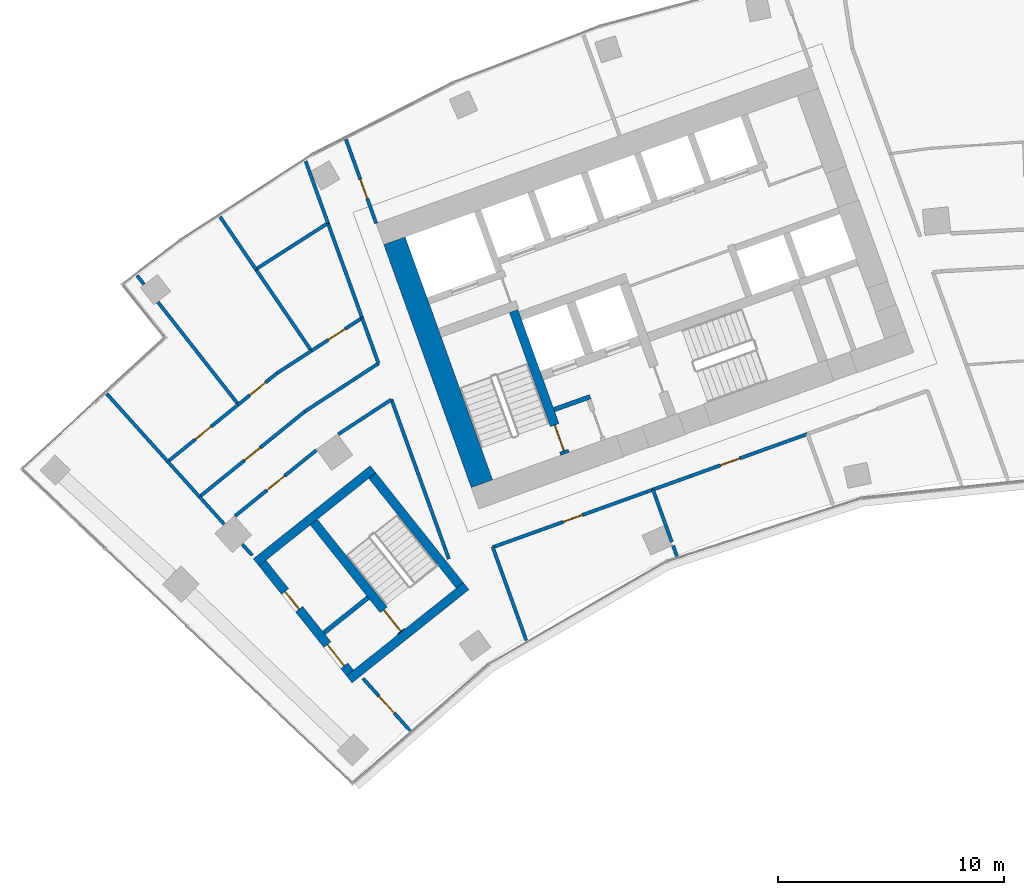
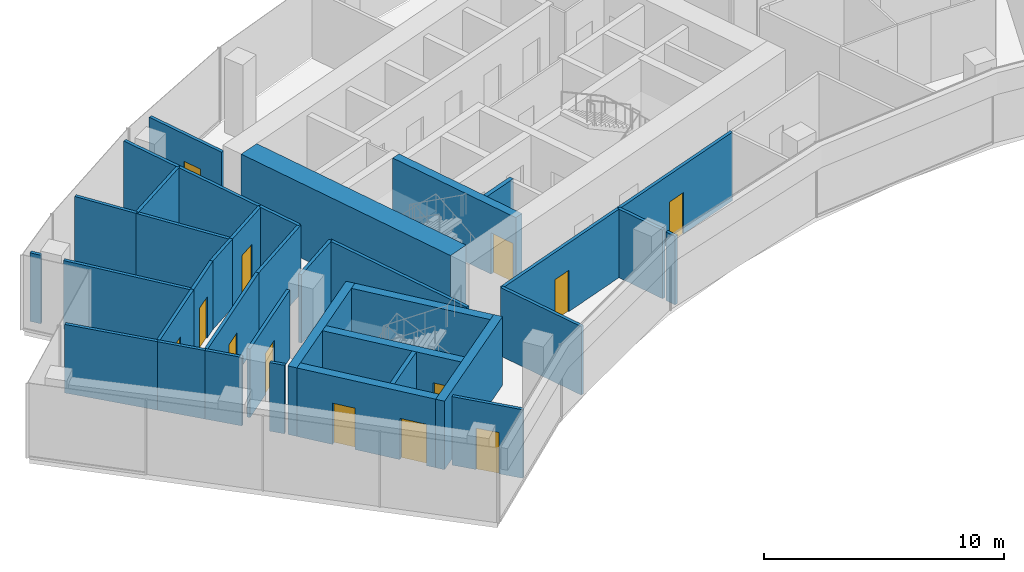
# One storey, part 12 of 19: 37 walls, 13 doors, 13 openings.
"""IFC4 building model written with IfcOpenShell, lengths in metres."""

from ifc_helpers import new_model, si_unit, direction, frame, frame_2d, origin, place, context, subcontext, project, spatial, rectangle, extrude, material, layer, layer_set, type_object, element, fill, save


model = new_model("IFC4")

# Units and contexts
model_context = context("Model", 3, precision=1e-05, world=origin(), true_north=direction((0.0, 1.0)))
body_context = subcontext(model_context, "Body", "Model", "MODEL_VIEW")
ifc_project = project(units=[si_unit("LENGTHUNIT", "METRE"), si_unit("AREAUNIT", "SQUARE_METRE"), si_unit("VOLUMEUNIT", "CUBIC_METRE"), si_unit("PLANEANGLEUNIT", "RADIAN"), si_unit("MASSUNIT", "GRAM", prefix="KILO")], contexts=[model_context])

# Site, building, storey
site_placement = place(None, origin())
site = spatial("IfcSite", under=ifc_project, at=site_placement, CompositionType="ELEMENT")
building_placement = place(site_placement, origin())
building = spatial("IfcBuilding", under=site, at=building_placement, Name="Stone Belt Terrace Tower", CompositionType="ELEMENT")
storey_placement = place(building_placement, frame((0.0, 0.0, 208.60009765625)))
storey = spatial("IfcBuildingStorey", under=building, at=storey_placement, Name="L50", CompositionType="ELEMENT", Elevation=208.60009765625)

# Walls
ifc_material_1 = material(Name="Concrete B60", Category="concrete")
ifc_layer_1 = layer(ifc_material_1, 1.0)
ifc_layer_set_1 = layer_set([ifc_layer_1], Name="Core wall 1000 B60")
wall_type_1 = type_object("IfcWallType", Name="Core wall 1000 B60", PredefinedType="SHEAR", material=ifc_layer_set_1)
wall_1_placement = place(storey_placement, frame((-25.821044921875, 43.102783203125, 0.0), z_axis=(0.0, 0.0, 1.0), x_axis=(-0.338625431531, 0.940921259788, 0.0)))
element("IfcWall", 1, at=wall_1_placement, inside=storey, type_object=wall_type_1, Name="Core A wall end_a L50", PredefinedType="SHEAR", context=body_context, shape_type="SweptSolid", body=[
    extrude(rectangle(XDim=11.400146484375, YDim=1.0, at=frame_2d((5.7001953125, 0.0))), origin(), (0.0, 0.0, 1.0), 3.7998046875),
])
ifc_material_2 = material(Name="Gypsum board partition")
ifc_layer_2 = layer(ifc_material_2, 0.14990234375)
ifc_layer_set_2 = layer_set([ifc_layer_2], Name="PARTITION 150 EI 60")
wall_type_2 = type_object("IfcWallType", Name="PARTITION 150 EI 60", PredefinedType="PARTITIONING", material=ifc_layer_set_2)
wall_2_placement = place(storey_placement, frame((-25.344970703125, 40.304931640625, 0.0), z_axis=(0.0, 0.0, 1.0), x_axis=(0.338603151709, -0.94092927771, 0.0)))
element("IfcWall", 2, at=wall_2_placement, inside=storey, type_object=wall_type_2, Name="L50/wall/i001", PredefinedType="PARTITIONING", context=body_context, shape_type="SweptSolid", body=[
    extrude(rectangle(XDim=4.38525390625, YDim=0.14990234375, at=frame_2d((2.192626953125, 0.0))), origin(), (0.0, 0.0, 1.0), 3.47998046875),
])

# Wall, opening, door
wall_3_placement = place(storey_placement, frame((-31.826904296875, 58.314208984375, 0.0), z_axis=(0.0, 0.0, 1.0), x_axis=(0.338542007836, -0.940951278723, 0.0)))
wall_3 = element("IfcWall", 3, at=wall_3_placement, inside=storey, type_object=wall_type_2, Name="L50/wall/i002", PredefinedType="PARTITIONING", context=body_context, shape_type="SweptSolid", body=[
    extrude(rectangle(XDim=3.946044921875, YDim=0.14990234375, at=frame_2d((1.97314453125, 0.0))), origin(), (0.0, 0.0, 1.0), 3.47998046875),
])
opening_1_placement = place(wall_3_placement, frame((1.889892578125, 0.0, 0.0)))
opening_1 = element("IfcOpeningElement", 4, at=opening_1_placement, cuts=wall_3, Name="Opening D-D2-04", PredefinedType="OPENING", context=body_context, shape_type="SweptSolid", body=[
    extrude(rectangle(XDim=0.89990234375, YDim=2.10009765625, at=frame_2d((0.449951171875, 1.050048828125))), frame((0.0, 0.0849609375, 0.0), z_axis=(0.0, -1.0, 0.0), x_axis=(1.0, 0.0, 0.0)), (0.0, 0.0, 1.0), 0.169921875),
])
ifc_material_3 = material(Name="Timber door leaf", Category="wood")
door_type_1 = type_object("IfcDoorType", Name="OFFICE DOOR 900 X 2100", OperationType="NOTDEFINED", PredefinedType="DOOR", material=ifc_material_3)
door_1_placement = place(opening_1_placement, origin())
door_1 = element("IfcDoor", 5, at=door_1_placement, inside=storey, type_object=door_type_1, Name="L50/door/i04", OperationType="SINGLE_SWING_RIGHT", OverallHeight=2.10009765625, OverallWidth=0.89990234375, PredefinedType="DOOR", context=body_context, shape_type="SweptSolid", body=[
    extrude(rectangle(XDim=0.89990234375, YDim=2.10009765625, at=frame_2d((0.449951171875, 1.050048828125))), frame((0.0, 0.02490234375, 0.0), z_axis=(0.0, -1.0, 0.0), x_axis=(1.0, 0.0, 0.0)), (0.0, 0.0, 1.0), 0.050048828125),
])
fill(opening_1, door_1)

wall_4_placement = place(storey_placement, frame((-28.9892578125, 32.194580078125, 0.0), z_axis=(0.0, 0.0, 1.0), x_axis=(-0.669060096377, 0.743208306894, 0.0)))
wall_4 = element("IfcWall", 6, at=wall_4_placement, inside=storey, type_object=wall_type_2, Name="L50/wall/i003", PredefinedType="PARTITIONING", context=body_context, shape_type="SweptSolid", body=[
    extrude(rectangle(XDim=3.111572265625, YDim=0.14990234375, at=frame_2d((1.5556640625, 0.0))), origin(), (0.0, 0.0, 1.0), 3.47998046875),
])
opening_2_placement = place(wall_4_placement, frame((1.0556640625, 0.0, 0.0)))
opening_2 = element("IfcOpeningElement", 7, at=opening_2_placement, cuts=wall_4, Name="Opening D-D2-11", PredefinedType="OPENING", context=body_context, shape_type="SweptSolid", body=[
    extrude(rectangle(XDim=1.0, YDim=2.10009765625, at=frame_2d((0.5, 1.050048828125))), frame((0.0, 0.0849609375, 0.0), z_axis=(0.0, -1.0, 0.0), x_axis=(1.0, 0.0, 0.0)), (0.0, 0.0, 1.0), 0.169921875),
])
ifc_material_4 = material(Name="Timber fire door leaf", Category="wood")
door_type_2 = type_object("IfcDoorType", Name="TENANCY ENTRANCE DOOR 1000 X 2100", OperationType="NOTDEFINED", PredefinedType="DOOR", material=ifc_material_4)
door_2_placement = place(opening_2_placement, origin())
door_2 = element("IfcDoor", 8, at=door_2_placement, inside=storey, type_object=door_type_2, Name="L50/door/i11", OperationType="SINGLE_SWING_RIGHT", OverallHeight=2.10009765625, OverallWidth=1.0, PredefinedType="DOOR", context=body_context, shape_type="SweptSolid", body=[
    extrude(rectangle(XDim=1.0, YDim=2.10009765625, at=frame_2d((0.5, 1.050048828125))), frame((0.0, 0.02490234375, 0.0), z_axis=(0.0, -1.0, 0.0), x_axis=(1.0, 0.0, 0.0)), (0.0, 0.0, 1.0), 0.050048828125),
])
fill(opening_2, door_2)

# Walls
wall_5_placement = place(storey_placement, frame((-27.282958984375, 39.781982421875, 0.0), z_axis=(0.0, 0.0, 1.0), x_axis=(-0.338714849804, 0.940889074505, 0.0)))
element("IfcWall", 9, at=wall_5_placement, inside=storey, type_object=wall_type_2, Name="L50/wall/i004", PredefinedType="PARTITIONING", context=body_context, shape_type="SweptSolid", body=[
    extrude(rectangle(XDim=7.487548828125, YDim=0.14990234375, at=frame_2d((3.74365234375, 0.0))), origin(), (0.0, 0.0, 1.0), 3.47998046875),
])
wall_6_placement = place(storey_placement, frame((-30.387939453125, 48.408935546875, 0.0), z_axis=(0.0, 0.0, 1.0), x_axis=(-0.338510151975, 0.940962739438, 0.0)))
element("IfcWall", 10, at=wall_6_placement, inside=storey, type_object=wall_type_2, Name="L50/wall/i005", PredefinedType="PARTITIONING", context=body_context, shape_type="SweptSolid", body=[
    extrude(rectangle(XDim=2.147705078125, YDim=0.14990234375, at=frame_2d((1.07373046875, 0.0))), origin(), (0.0, 0.0, 1.0), 3.47998046875),
])
wall_7_placement = place(storey_placement, frame((-31.111083984375, 50.41796875, 0.0), z_axis=(0.0, 0.0, 1.0), x_axis=(-0.338855091794, 0.940838576359, 0.0)))
element("IfcWall", 11, at=wall_7_placement, inside=storey, type_object=wall_type_2, Name="L50/wall/i006", PredefinedType="PARTITIONING", context=body_context, shape_type="SweptSolid", body=[
    extrude(rectangle(XDim=4.4619140625, YDim=0.14990234375, at=frame_2d((2.23095703125, 0.0))), origin(), (0.0, 0.0, 1.0), 3.47998046875),
])
wall_8_placement = place(storey_placement, frame((-32.617919921875, 54.60498046875, 0.0), z_axis=(0.0, 0.0, 1.0), x_axis=(-0.338823024639, 0.940850125139, 0.0)))
element("IfcWall", 12, at=wall_8_placement, inside=storey, type_object=wall_type_2, Name="L50/wall/i007", PredefinedType="PARTITIONING", context=body_context, shape_type="SweptSolid", body=[
    extrude(rectangle(XDim=2.921875, YDim=0.14990234375, at=frame_2d((1.4609375, 0.0))), origin(), (0.0, 0.0, 1.0), 3.47998046875),
])

# Wall, opening, door
wall_9_placement = place(storey_placement, frame((-18.264892578125, 42.845947265625, 0.0), z_axis=(0.0, 0.0, 1.0), x_axis=(-0.940940358384, -0.338572358536, 0.0)))
wall_9 = element("IfcWall", 13, at=wall_9_placement, inside=storey, type_object=wall_type_2, Name="L50/wall/i015", PredefinedType="PARTITIONING", context=body_context, shape_type="SweptSolid", body=[
    extrude(rectangle(XDim=7.5224609375, YDim=0.14990234375, at=frame_2d((3.76123046875, 0.0))), origin(), (0.0, 0.0, 1.0), 3.47998046875),
])
opening_3_placement = place(wall_9_placement, frame((3.311279296875, 0.0, 0.0)))
opening_3 = element("IfcOpeningElement", 14, at=opening_3_placement, cuts=wall_9, Name="Opening D-D2-01", PredefinedType="OPENING", context=body_context, shape_type="SweptSolid", body=[
    extrude(rectangle(XDim=0.89990234375, YDim=2.10009765625, at=frame_2d((0.449951171875, 1.050048828125))), frame((0.0, 0.0849609375, 0.0), z_axis=(0.0, -1.0, 0.0), x_axis=(1.0, 0.0, 0.0)), (0.0, 0.0, 1.0), 0.169921875),
])
door_3_placement = place(opening_3_placement, origin())
door_3 = element("IfcDoor", 15, at=door_3_placement, inside=storey, type_object=door_type_1, Name="L50/door/i01", OperationType="SINGLE_SWING_RIGHT", OverallHeight=2.10009765625, OverallWidth=0.89990234375, PredefinedType="DOOR", context=body_context, shape_type="SweptSolid", body=[
    extrude(rectangle(XDim=0.89990234375, YDim=2.10009765625, at=frame_2d((0.449951171875, 1.050048828125))), frame((0.0, 0.02490234375, 0.0), z_axis=(0.0, -1.0, 0.0), x_axis=(1.0, 0.0, 0.0)), (0.0, 0.0, 1.0), 0.050048828125),
])
fill(opening_3, door_3)

wall_10_placement = place(storey_placement, frame((-11.443115234375, 45.301025390625, 0.0), z_axis=(0.0, 0.0, 1.0), x_axis=(-0.940942249556, -0.338567102655, 0.0)))
wall_10 = element("IfcWall", 16, at=wall_10_placement, inside=storey, type_object=wall_type_2, Name="L50/wall/i016", PredefinedType="PARTITIONING", context=body_context, shape_type="SweptSolid", body=[
    extrude(rectangle(XDim=7.262939453125, YDim=0.14990234375, at=frame_2d((3.63134765625, 0.0))), origin(), (0.0, 0.0, 1.0), 3.47998046875),
])
opening_4_placement = place(wall_10_placement, frame((3.181396484375, 0.0, 0.0)))
opening_4 = element("IfcOpeningElement", 17, at=opening_4_placement, cuts=wall_10, Name="Opening D-D2-02", PredefinedType="OPENING", context=body_context, shape_type="SweptSolid", body=[
    extrude(rectangle(XDim=0.89990234375, YDim=2.10009765625, at=frame_2d((0.449951171875, 1.050048828125))), frame((0.0, 0.0849609375, 0.0), z_axis=(0.0, -1.0, 0.0), x_axis=(1.0, 0.0, 0.0)), (0.0, 0.0, 1.0), 0.169921875),
])
door_4_placement = place(opening_4_placement, origin())
door_4 = element("IfcDoor", 18, at=door_4_placement, inside=storey, type_object=door_type_1, Name="L50/door/i02", OperationType="SINGLE_SWING_RIGHT", OverallHeight=2.10009765625, OverallWidth=0.89990234375, PredefinedType="DOOR", context=body_context, shape_type="SweptSolid", body=[
    extrude(rectangle(XDim=0.89990234375, YDim=2.10009765625, at=frame_2d((0.449951171875, 1.050048828125))), frame((0.0, 0.02490234375, 0.0), z_axis=(0.0, -1.0, 0.0), x_axis=(1.0, 0.0, 0.0)), (0.0, 0.0, 1.0), 0.050048828125),
])
fill(opening_4, door_4)

# Walls
wall_11_placement = place(storey_placement, frame((-18.27099609375, 42.843994140625, 0.0), z_axis=(0.0, 0.0, 1.0), x_axis=(0.338641965783, -0.940915309159, 0.0)))
element("IfcWall", 19, at=wall_11_placement, inside=storey, type_object=wall_type_2, Name="L50/wall/i018", PredefinedType="PARTITIONING", context=body_context, shape_type="SweptSolid", body=[
    extrude(rectangle(XDim=2.4541015625, YDim=0.14990234375, at=frame_2d((1.22705078125, 0.0))), origin(), (0.0, 0.0, 1.0), 3.47998046875),
])
wall_12_placement = place(storey_placement, frame((-17.379150390625, 40.3662109375, 0.0), z_axis=(0.0, 0.0, 1.0), x_axis=(0.338719468273, -0.940887411869, 0.0)))
element("IfcWall", 20, at=wall_12_placement, inside=storey, type_object=wall_type_2, Name="L50/wall/i019", PredefinedType="PARTITIONING", context=body_context, shape_type="SweptSolid", body=[
    extrude(rectangle(XDim=0.49951171875, YDim=0.14990234375, at=frame_2d((0.249755859375, 0.0))), origin(), (0.0, 0.0, 1.0), 3.47998046875),
])
wall_13_placement = place(storey_placement, frame((-38.294921875, 42.530029296875, 0.0), z_axis=(0.0, 0.0, 1.0), x_axis=(0.669105815647, -0.743167146386, 0.0)))
element("IfcWall", 21, at=wall_13_placement, inside=storey, type_object=wall_type_2, Name="L50/wall/i039", PredefinedType="PARTITIONING", context=body_context, shape_type="SweptSolid", body=[
    extrude(rectangle(XDim=1.625244140625, YDim=0.14990234375, at=frame_2d((0.8125, 0.0))), origin(), (0.0, 0.0, 1.0), 3.47998046875),
])
wall_14_placement = place(storey_placement, frame((-36.3974609375, 40.42333984375, 0.0), z_axis=(0.0, 0.0, 1.0), x_axis=(0.669006377534, -0.743256662815, 0.0)))
element("IfcWall", 22, at=wall_14_placement, inside=storey, type_object=wall_type_2, Name="L50/wall/i040", PredefinedType="PARTITIONING", context=body_context, shape_type="SweptSolid", body=[
    extrude(rectangle(XDim=0.647705078125, YDim=0.14990234375, at=frame_2d((0.32373046875, 0.0))), origin(), (0.0, 0.0, 1.0), 3.47998046875),
])
wall_15_placement = place(storey_placement, frame((-39.694091796875, 44.083984375, 0.0), z_axis=(0.0, 0.0, 1.0), x_axis=(0.66904169551, -0.743224871535, 0.0)))
element("IfcWall", 23, at=wall_15_placement, inside=storey, type_object=wall_type_2, Name="L50/wall/i041", PredefinedType="PARTITIONING", context=body_context, shape_type="SweptSolid", body=[
    extrude(rectangle(XDim=2.10302734375, YDim=0.14990234375, at=frame_2d((1.051513671875, 0.0))), origin(), (0.0, 0.0, 1.0), 3.47998046875),
])
wall_16_placement = place(storey_placement, frame((-42.39501953125, 47.084228515625, 0.0), z_axis=(0.0, 0.0, 1.0), x_axis=(0.669051341016, -0.743216188659, 0.0)))
element("IfcWall", 24, at=wall_16_placement, inside=storey, type_object=wall_type_2, Name="L50/wall/i042", PredefinedType="PARTITIONING", context=body_context, shape_type="SweptSolid", body=[
    extrude(rectangle(XDim=4.049072265625, YDim=0.14990234375, at=frame_2d((2.0244140625, 0.0))), origin(), (0.0, 0.0, 1.0), 3.47998046875),
])
wall_17_placement = place(storey_placement, frame((-29.81689453125, 46.821044921875, 0.0), z_axis=(0.0, 0.0, 1.0), x_axis=(-0.837343079097, -0.54667775507, 0.0)))
element("IfcWall", 25, at=wall_17_placement, inside=storey, type_object=wall_type_2, Name="L50/wall/i043", PredefinedType="PARTITIONING", context=body_context, shape_type="SweptSolid", body=[
    extrude(rectangle(XDim=2.796875, YDim=0.14990234375, at=frame_2d((1.3984375, 0.0))), origin(), (0.0, 0.0, 1.0), 3.47998046875),
])

# Wall, opening, door
wall_18_placement = place(storey_placement, frame((-33.136962890625, 44.57958984375, 0.0), z_axis=(0.0, 0.0, 1.0), x_axis=(-0.777157211672, -0.629306497937, 0.0)))
wall_18 = element("IfcWall", 26, at=wall_18_placement, inside=storey, type_object=wall_type_2, Name="L50/wall/i044", PredefinedType="PARTITIONING", context=body_context, shape_type="SweptSolid", body=[
    extrude(rectangle(XDim=4.60546875, YDim=0.14990234375, at=frame_2d((2.302734375, 0.0))), origin(), (0.0, 0.0, 1.0), 3.47998046875),
])
opening_5_placement = place(wall_18_placement, frame((1.802734375, 0.0, 0.0)))
opening_5 = element("IfcOpeningElement", 27, at=opening_5_placement, cuts=wall_18, Name="Opening D-D2-12", PredefinedType="OPENING", context=body_context, shape_type="SweptSolid", body=[
    extrude(rectangle(XDim=1.0, YDim=2.10009765625, at=frame_2d((0.5, 1.050048828125))), frame((0.0, 0.0849609375, 0.0), z_axis=(0.0, -1.0, 0.0), x_axis=(1.0, 0.0, 0.0)), (0.0, 0.0, 1.0), 0.169921875),
])
door_5_placement = place(opening_5_placement, origin())
door_5 = element("IfcDoor", 28, at=door_5_placement, inside=storey, type_object=door_type_2, Name="L50/door/i12", OperationType="SINGLE_SWING_RIGHT", OverallHeight=2.10009765625, OverallWidth=1.0, PredefinedType="DOOR", context=body_context, shape_type="SweptSolid", body=[
    extrude(rectangle(XDim=1.0, YDim=2.10009765625, at=frame_2d((0.5, 1.050048828125))), frame((0.0, 0.02490234375, 0.0), z_axis=(0.0, -1.0, 0.0), x_axis=(1.0, 0.0, 0.0)), (0.0, 0.0, 1.0), 0.050048828125),
])
fill(opening_5, door_5)

wall_19_placement = place(storey_placement, frame((-38.291015625, 42.52587890625, 0.0), z_axis=(0.0, 0.0, 1.0), x_axis=(0.777109127033, 0.629365875054, 0.0)))
wall_19 = element("IfcWall", 29, at=wall_19_placement, inside=storey, type_object=wall_type_2, Name="L50/wall/i045", PredefinedType="PARTITIONING", context=body_context, shape_type="SweptSolid", body=[
    extrude(rectangle(XDim=5.990234375, YDim=0.14990234375, at=frame_2d((2.9951171875, 0.0))), origin(), (0.0, 0.0, 1.0), 3.47998046875),
])
opening_6_placement = place(wall_19_placement, frame((2.545166015625, 0.0, 0.0)))
opening_6 = element("IfcOpeningElement", 30, at=opening_6_placement, cuts=wall_19, Name="Opening D-D2-13", PredefinedType="OPENING", context=body_context, shape_type="SweptSolid", body=[
    extrude(rectangle(XDim=0.89990234375, YDim=2.10009765625, at=frame_2d((0.449951171875, 1.050048828125))), frame((0.0, 0.0849609375, 0.0), z_axis=(0.0, -1.0, 0.0), x_axis=(1.0, 0.0, 0.0)), (0.0, 0.0, 1.0), 0.169921875),
])
door_6_placement = place(opening_6_placement, origin())
door_6 = element("IfcDoor", 31, at=door_6_placement, inside=storey, type_object=door_type_1, Name="L50/door/i13", OperationType="SINGLE_SWING_RIGHT", OverallHeight=2.10009765625, OverallWidth=0.89990234375, PredefinedType="DOOR", context=body_context, shape_type="SweptSolid", body=[
    extrude(rectangle(XDim=0.89990234375, YDim=2.10009765625, at=frame_2d((0.449951171875, 1.050048828125))), frame((0.0, 0.02490234375, 0.0), z_axis=(0.0, -1.0, 0.0), x_axis=(1.0, 0.0, 0.0)), (0.0, 0.0, 1.0), 0.050048828125),
])
fill(opening_6, door_6)

# Wall
wall_20_placement = place(storey_placement, frame((-33.635986328125, 46.2958984375, 0.0), z_axis=(0.0, 0.0, 1.0), x_axis=(0.83735993179, 0.54665194103, 0.0)))
element("IfcWall", 32, at=wall_20_placement, inside=storey, type_object=wall_type_2, Name="L50/wall/i046", PredefinedType="PARTITIONING", context=body_context, shape_type="SweptSolid", body=[
    extrude(rectangle(XDim=3.87646484375, YDim=0.14990234375, at=frame_2d((1.938232421875, 0.0))), origin(), (0.0, 0.0, 1.0), 3.47998046875),
])

# Wall, opening, door
wall_21_placement = place(storey_placement, frame((-39.68994140625, 44.080078125, 0.0), z_axis=(0.0, 0.0, 1.0), x_axis=(0.777257626376, 0.629182471339, 0.0)))
wall_21 = element("IfcWall", 33, at=wall_21_placement, inside=storey, type_object=wall_type_2, Name="L50/wall/i047", PredefinedType="PARTITIONING", context=body_context, shape_type="SweptSolid", body=[
    extrude(rectangle(XDim=4.011474609375, YDim=0.14990234375, at=frame_2d((2.005859375, 0.0))), origin(), (0.0, 0.0, 1.0), 3.47998046875),
])
opening_7_placement = place(wall_21_placement, frame((1.5556640625, 0.0, 0.0)))
opening_7 = element("IfcOpeningElement", 34, at=opening_7_placement, cuts=wall_21, Name="Opening D-D2-14", PredefinedType="OPENING", context=body_context, shape_type="SweptSolid", body=[
    extrude(rectangle(XDim=0.89990234375, YDim=2.10009765625, at=frame_2d((0.449951171875, 1.050048828125))), frame((0.0, 0.0849609375, 0.0), z_axis=(0.0, -1.0, 0.0), x_axis=(1.0, 0.0, 0.0)), (0.0, 0.0, 1.0), 0.169921875),
])
door_7_placement = place(opening_7_placement, origin())
door_7 = element("IfcDoor", 35, at=door_7_placement, inside=storey, type_object=door_type_1, Name="L50/door/i14", OperationType="SINGLE_SWING_RIGHT", OverallHeight=2.10009765625, OverallWidth=0.89990234375, PredefinedType="DOOR", context=body_context, shape_type="SweptSolid", body=[
    extrude(rectangle(XDim=0.89990234375, YDim=2.10009765625, at=frame_2d((0.449951171875, 1.050048828125))), frame((0.0, 0.02490234375, 0.0), z_axis=(0.0, -1.0, 0.0), x_axis=(1.0, 0.0, 0.0)), (0.0, 0.0, 1.0), 0.050048828125),
])
fill(opening_7, door_7)

wall_22_placement = place(storey_placement, frame((-36.5810546875, 46.596923828125, 0.0), z_axis=(0.0, 0.0, 1.0), x_axis=(0.777036302679, 0.629455784244, 0.0)))
wall_22 = element("IfcWall", 36, at=wall_22_placement, inside=storey, type_object=wall_type_2, Name="L50/wall/i048", PredefinedType="PARTITIONING", context=body_context, shape_type="SweptSolid", body=[
    extrude(rectangle(XDim=2.20849609375, YDim=0.14990234375, at=frame_2d((1.104248046875, 0.0))), origin(), (0.0, 0.0, 1.0), 3.47998046875),
])
opening_8_placement = place(wall_22_placement, frame((0.654052734375, 0.0, 0.0)))
opening_8 = element("IfcOpeningElement", 37, at=opening_8_placement, cuts=wall_22, Name="Opening D-D2-15", PredefinedType="OPENING", context=body_context, shape_type="SweptSolid", body=[
    extrude(rectangle(XDim=0.89990234375, YDim=2.10009765625, at=frame_2d((0.449951171875, 1.050048828125))), frame((0.0, 0.0849609375, 0.0), z_axis=(0.0, -1.0, 0.0), x_axis=(1.0, 0.0, 0.0)), (0.0, 0.0, 1.0), 0.169921875),
])
door_8_placement = place(opening_8_placement, origin())
door_8 = element("IfcDoor", 38, at=door_8_placement, inside=storey, type_object=door_type_1, Name="L50/door/i15", OperationType="SINGLE_SWING_RIGHT", OverallHeight=2.10009765625, OverallWidth=0.89990234375, PredefinedType="DOOR", context=body_context, shape_type="SweptSolid", body=[
    extrude(rectangle(XDim=0.89990234375, YDim=2.10009765625, at=frame_2d((0.449951171875, 1.050048828125))), frame((0.0, 0.02490234375, 0.0), z_axis=(0.0, -1.0, 0.0), x_axis=(1.0, 0.0, 0.0)), (0.0, 0.0, 1.0), 0.050048828125),
])
fill(opening_8, door_8)

# Wall
wall_23_placement = place(storey_placement, frame((-34.864990234375, 47.987060546875, 0.0), z_axis=(0.0, 0.0, 1.0), x_axis=(0.838831506128, 0.544391131749, 0.0)))
element("IfcWall", 39, at=wall_23_placement, inside=storey, type_object=wall_type_2, Name="L50/wall/i049", PredefinedType="PARTITIONING", context=body_context, shape_type="SweptSolid", body=[
    extrude(rectangle(XDim=1.810791015625, YDim=0.14990234375, at=frame_2d((0.9052734375, 0.0))), origin(), (0.0, 0.0, 1.0), 3.47998046875),
])

# Wall, opening, door
wall_24_placement = place(storey_placement, frame((-33.35595703125, 48.967041015625, 0.0), z_axis=(0.0, 0.0, 1.0), x_axis=(0.838591655075, 0.544760530912, 0.0)))
wall_24 = element("IfcWall", 40, at=wall_24_placement, inside=storey, type_object=wall_type_2, Name="L50/wall/i050", PredefinedType="PARTITIONING", context=body_context, shape_type="SweptSolid", body=[
    extrude(rectangle(XDim=2.674560546875, YDim=0.14990234375, at=frame_2d((1.33740234375, 0.0))), origin(), (0.0, 0.0, 1.0), 3.47998046875),
])
opening_9_placement = place(wall_24_placement, frame((0.887451171875, 0.0, 0.0)))
opening_9 = element("IfcOpeningElement", 41, at=opening_9_placement, cuts=wall_24, Name="Opening D-D2-16", PredefinedType="OPENING", context=body_context, shape_type="SweptSolid", body=[
    extrude(rectangle(XDim=0.89990234375, YDim=2.10009765625, at=frame_2d((0.449951171875, 1.050048828125))), frame((0.0, 0.0849609375, 0.0), z_axis=(0.0, -1.0, 0.0), x_axis=(1.0, 0.0, 0.0)), (0.0, 0.0, 1.0), 0.169921875),
])
door_9_placement = place(opening_9_placement, origin())
door_9 = element("IfcDoor", 42, at=door_9_placement, inside=storey, type_object=door_type_1, Name="L50/door/i16", OperationType="SINGLE_SWING_RIGHT", OverallHeight=2.10009765625, OverallWidth=0.89990234375, PredefinedType="DOOR", context=body_context, shape_type="SweptSolid", body=[
    extrude(rectangle(XDim=0.89990234375, YDim=2.10009765625, at=frame_2d((0.449951171875, 1.050048828125))), frame((0.0, 0.02490234375, 0.0), z_axis=(0.0, -1.0, 0.0), x_axis=(1.0, 0.0, 0.0)), (0.0, 0.0, 1.0), 0.050048828125),
])
fill(opening_9, door_9)

# Walls
wall_25_placement = place(storey_placement, frame((-41.05078125, 52.30078125, 0.0), z_axis=(0.0, 0.0, 1.0), x_axis=(0.617296297688, -0.786730754999, 0.0)))
element("IfcWall", 43, at=wall_25_placement, inside=storey, type_object=wall_type_2, Name="L50/wall/i051", PredefinedType="PARTITIONING", context=body_context, shape_type="SweptSolid", body=[
    extrude(rectangle(XDim=0.49267578125, YDim=0.14990234375, at=frame_2d((0.246337890625, 0.0))), origin(), (0.0, 0.0, 1.0), 3.47998046875),
])
wall_26_placement = place(storey_placement, frame((-40.123046875, 51.11865234375, 0.0), z_axis=(0.0, 0.0, 1.0), x_axis=(0.61745726777, -0.786604425667, 0.0)))
element("IfcWall", 44, at=wall_26_placement, inside=storey, type_object=wall_type_2, Name="L50/wall/i052", PredefinedType="PARTITIONING", context=body_context, shape_type="SweptSolid", body=[
    extrude(rectangle(XDim=5.7431640625, YDim=0.14990234375, at=frame_2d((2.87158203125, 0.0))), origin(), (0.0, 0.0, 1.0), 3.47998046875),
])
wall_27_placement = place(storey_placement, frame((-35.806884765625, 52.576904296875, 0.0), z_axis=(0.0, 0.0, 1.0), x_axis=(0.56279504392, -0.826596478664, 0.0)))
element("IfcWall", 45, at=wall_27_placement, inside=storey, type_object=wall_type_2, Name="L50/wall/i053", PredefinedType="PARTITIONING", context=body_context, shape_type="SweptSolid", body=[
    extrude(rectangle(XDim=4.363525390625, YDim=0.14990234375, at=frame_2d((2.181640625, 0.0))), origin(), (0.0, 0.0, 1.0), 3.47998046875),
])
wall_28_placement = place(storey_placement, frame((-37.390380859375, 54.901611328125, 0.0), z_axis=(0.0, 0.0, 1.0), x_axis=(0.562733169893, -0.826638602717, 0.0)))
element("IfcWall", 46, at=wall_28_placement, inside=storey, type_object=wall_type_2, Name="L50/wall/i054", PredefinedType="PARTITIONING", context=body_context, shape_type="SweptSolid", body=[
    extrude(rectangle(XDim=2.824462890625, YDim=0.14990234375, at=frame_2d((1.412109375, 0.0))), origin(), (0.0, 0.0, 1.0), 3.47998046875),
])
wall_29_placement = place(storey_placement, frame((-35.803955078125, 52.572021484375, 0.0), z_axis=(0.0, 0.0, 1.0), x_axis=(0.842102486174, 0.539317534278, 0.0)))
element("IfcWall", 47, at=wall_29_placement, inside=storey, type_object=wall_type_2, Name="L50/wall/i055", PredefinedType="PARTITIONING", context=body_context, shape_type="SweptSolid", body=[
    extrude(rectangle(XDim=3.78076171875, YDim=0.14990234375, at=frame_2d((1.890380859375, 0.0))), origin(), (0.0, 0.0, 1.0), 3.47998046875),
])
ifc_material_5 = material(Name="Concrete masonry block", Category="masonry")
ifc_layer_3 = layer(ifc_material_5, 0.199951171875)
ifc_layer_set_3 = layer_set([ifc_layer_3], Name="Rated lobby wall 200")
wall_type_3 = type_object("IfcWallType", Name="Rated lobby wall 200", PredefinedType="PARTITIONING", material=ifc_layer_set_3)
wall_30_placement = place(storey_placement, frame((-22.640625, 46.373046875, 0.0), z_axis=(0.0, 0.0, 1.0), x_axis=(0.940966110313, 0.338500781747, 0.0)))
element("IfcWall", 48, at=wall_30_placement, inside=storey, type_object=wall_type_3, Name="Core A wall", PredefinedType="PARTITIONING", context=body_context, shape_type="SweptSolid", body=[
    extrude(rectangle(XDim=1.699951171875, YDim=0.199951171875, at=frame_2d((0.85009765625, 0.0))), origin(), (0.0, 0.0, 1.0), 3.47998046875),
])
wall_31_placement = place(storey_placement, frame((-30.845703125, 38.074951171875, 0.0), z_axis=(0.0, 0.0, 1.0), x_axis=(-0.782115323833, -0.623133709749, 0.0)))
element("IfcWall", 49, at=wall_31_placement, inside=storey, type_object=wall_type_3, Name="Exit stair ST3A wall", PredefinedType="PARTITIONING", context=body_context, shape_type="SweptSolid", body=[
    extrude(rectangle(XDim=2.5, YDim=0.199951171875, at=frame_2d((1.25, 0.0))), origin(), (0.0, 0.0, 1.0), 3.47998046875),
])

# Wall, opening, door
ifc_material_6 = material(Name="Concrete B80", Category="concrete")
ifc_layer_4 = layer(ifc_material_6, 0.39990234375)
ifc_layer_set_4 = layer_set([ifc_layer_4], Name="Stair enclosure wall 400")
wall_type_4 = type_object("IfcWallType", Name="Stair enclosure wall 400", PredefinedType="SHEAR", material=ifc_layer_set_4)
wall_32_placement = place(storey_placement, frame((-22.151611328125, 44.42333984375, 0.0), z_axis=(0.0, 0.0, 1.0), x_axis=(-0.338625272931, 0.940921316866, 0.0)))
wall_32 = element("IfcWall", 50, at=wall_32_placement, inside=storey, type_object=wall_type_4, Name="Core A wall", PredefinedType="SHEAR", context=body_context, shape_type="SweptSolid", body=[
    extrude(rectangle(XDim=6.699951171875, YDim=0.39990234375, at=frame_2d((3.35009765625, 0.0))), origin(), (0.0, 0.0, 1.0), 3.47998046875),
])
opening_10_placement = place(wall_32_placement, frame((0.14990234375, 0.0, 0.0)))
opening_10 = element("IfcOpeningElement", 51, at=opening_10_placement, cuts=wall_32, Name="Opening L50-C05", PredefinedType="OPENING", context=body_context, shape_type="SweptSolid", body=[
    extrude(rectangle(XDim=1.199951171875, YDim=2.10009765625, at=frame_2d((0.60009765625, 1.050048828125))), frame((0.0, 0.2099609375, 0.0), z_axis=(0.0, -1.0, 0.0), x_axis=(1.0, 0.0, 0.0)), (0.0, 0.0, 1.0), 0.419921875),
])
ifc_material_7 = material(Name="Steel door leaf", Category="steel")
door_type_3 = type_object("IfcDoorType", Name="Stair door 1200", OperationType="SINGLE_SWING_LEFT", PredefinedType="DOOR", material=ifc_material_7)
door_10_placement = place(opening_10_placement, origin())
door_10 = element("IfcDoor", 52, at=door_10_placement, inside=storey, type_object=door_type_3, Name="Stair 1 door core A", OperationType="SINGLE_SWING_RIGHT", OverallHeight=2.10009765625, OverallWidth=1.199951171875, PredefinedType="DOOR", context=body_context, shape_type="SweptSolid", body=[
    extrude(rectangle(XDim=1.199951171875, YDim=2.10009765625, at=frame_2d((0.60009765625, 1.050048828125))), frame((0.0, 0.02490234375, 0.0), z_axis=(0.0, -1.0, 0.0), x_axis=(1.0, 0.0, 0.0)), (0.0, 0.0, 1.0), 0.050048828125),
])
fill(opening_10, door_10)

# Walls
for number, where, z_axis, x_axis, name in (
    (53, (-26.518798828125, 38.58154296875, 0.0), (0.0, 0.0, 1.0), (-0.782133914161, -0.623110375711, 0.0), "Exit stair ST3A wall"),
    (54, (-30.63134765625, 43.74365234375, 0.0), (0.0, 0.0, 1.0), (-0.782133914161, -0.623110375711, 0.0), "Exit stair ST3A wall"),
):
    element("IfcWall", number, at=place(storey_placement, frame(where, z_axis=z_axis, x_axis=x_axis)), inside=storey, type_object=wall_type_4, Name=name, PredefinedType="SHEAR", context=body_context, shape_type="SweptSolid", body=[
        extrude(rectangle(XDim=6.60009765625, YDim=0.39990234375, at=frame_2d((3.300048828125, 0.0))), origin(), (0.0, 0.0, 1.0), 3.47998046875),
    ])
wall_33_placement = place(storey_placement, frame((-26.7998046875, 38.61328125, 0.0), z_axis=(0.0, 0.0, 1.0), x_axis=(-0.623118653668, 0.782127319208, 0.0)))
element("IfcWall", 55, at=wall_33_placement, inside=storey, type_object=wall_type_4, Name="Exit stair ST3A wall", PredefinedType="SHEAR", context=body_context, shape_type="SweptSolid", body=[
    extrude(rectangle(XDim=6.199951171875, YDim=0.39990234375, at=frame_2d((3.10009765625, 0.0))), origin(), (0.0, 0.0, 1.0), 3.47998046875),
])

# Wall, openings, doors
wall_34_placement = place(storey_placement, frame((-31.64892578125, 34.75, 0.0), z_axis=(0.0, 0.0, 1.0), x_axis=(-0.623118653668, 0.782127319208, 0.0)))
wall_34 = element("IfcWall", 56, at=wall_34_placement, inside=storey, type_object=wall_type_4, Name="Exit stair ST3A wall", PredefinedType="SHEAR", context=body_context, shape_type="SweptSolid", body=[
    extrude(rectangle(XDim=6.199951171875, YDim=0.39990234375, at=frame_2d((3.10009765625, 0.0))), origin(), (0.0, 0.0, 1.0), 3.47998046875),
])
opening_11_placement = place(wall_34_placement, frame((0.39990234375, 0.0, 0.0)))
opening_11 = element("IfcOpeningElement", 57, at=opening_11_placement, cuts=wall_34, Name="Opening L50-C24", PredefinedType="OPENING", context=body_context, shape_type="SweptSolid", body=[
    extrude(rectangle(XDim=1.199951171875, YDim=2.10009765625, at=frame_2d((0.60009765625, 1.050048828125))), frame((0.0, 0.2099609375, 0.0), z_axis=(0.0, -1.0, 0.0), x_axis=(1.0, 0.0, 0.0)), (0.0, 0.0, 1.0), 0.419921875),
])
opening_12_placement = place(wall_34_placement, frame((3.60009765625, 0.0, 0.0)))
opening_12 = element("IfcOpeningElement", 58, at=opening_12_placement, cuts=wall_34, Name="Opening L50-C25", PredefinedType="OPENING", context=body_context, shape_type="SweptSolid", body=[
    extrude(rectangle(XDim=1.0, YDim=2.10009765625, at=frame_2d((0.5, 1.050048828125))), frame((0.0, 0.2099609375, 0.0), z_axis=(0.0, -1.0, 0.0), x_axis=(1.0, 0.0, 0.0)), (0.0, 0.0, 1.0), 0.419921875),
])
door_type_4 = type_object("IfcDoorType", Name="Core room door 1000", OperationType="SINGLE_SWING_LEFT", PredefinedType="DOOR", material=ifc_material_3)
door_11_placement = place(opening_12_placement, origin())
door_11 = element("IfcDoor", 59, at=door_11_placement, inside=storey, type_object=door_type_4, Name="Door to stair pressurisation plant room ST3A", OperationType="SINGLE_SWING_LEFT", OverallHeight=2.10009765625, OverallWidth=1.0, PredefinedType="DOOR", context=body_context, shape_type="SweptSolid", body=[
    extrude(rectangle(XDim=1.0, YDim=2.10009765625, at=frame_2d((0.5, 1.050048828125))), frame((0.0, 0.02490234375, 0.0), z_axis=(0.0, -1.0, 0.0), x_axis=(1.0, 0.0, 0.0)), (0.0, 0.0, 1.0), 0.050048828125),
])
fill(opening_12, door_11)
door_type_5 = type_object("IfcDoorType", Name="Stair airlock door 1200", OperationType="SINGLE_SWING_LEFT", PredefinedType="DOOR", material=ifc_material_7)
door_12_placement = place(opening_11_placement, origin())
door_12 = element("IfcDoor", 60, at=door_12_placement, inside=storey, type_object=door_type_5, Name="Stair airlock door ST3A", OperationType="SINGLE_SWING_LEFT", OverallHeight=2.10009765625, OverallWidth=1.199951171875, PredefinedType="DOOR", context=body_context, shape_type="SweptSolid", body=[
    extrude(rectangle(XDim=1.199951171875, YDim=2.10009765625, at=frame_2d((0.60009765625, 1.050048828125))), frame((0.0, 0.02490234375, 0.0), z_axis=(0.0, -1.0, 0.0), x_axis=(1.0, 0.0, 0.0)), (0.0, 0.0, 1.0), 0.050048828125),
])
fill(opening_11, door_12)

# Wall, opening, door
wall_35_placement = place(storey_placement, frame((-29.380859375, 36.556884765625, 0.0), z_axis=(0.0, 0.0, 1.0), x_axis=(-0.623099462847, 0.782142608097, 0.0)))
wall_35 = element("IfcWall", 61, at=wall_35_placement, inside=storey, type_object=wall_type_4, Name="Exit stair ST3A wall", PredefinedType="SHEAR", context=body_context, shape_type="SweptSolid", body=[
    extrude(rectangle(XDim=6.2001953125, YDim=0.39990234375, at=frame_2d((3.10009765625, 0.0))), origin(), (0.0, 0.0, 1.0), 3.47998046875),
])
opening_13_placement = place(wall_35_placement, frame((0.050048828125, 0.0, 0.0)))
opening_13 = element("IfcOpeningElement", 62, at=opening_13_placement, cuts=wall_35, Name="Opening L50-C23", PredefinedType="OPENING", context=body_context, shape_type="SweptSolid", body=[
    extrude(rectangle(XDim=1.199951171875, YDim=2.10009765625, at=frame_2d((0.60009765625, 1.050048828125))), frame((0.0, 0.2099609375, 0.0), z_axis=(0.0, -1.0, 0.0), x_axis=(1.0, 0.0, 0.0)), (0.0, 0.0, 1.0), 0.419921875),
])
door_13_placement = place(opening_13_placement, origin())
door_13 = element("IfcDoor", 63, at=door_13_placement, inside=storey, type_object=door_type_3, Name="Stair door ST3A", OperationType="SINGLE_SWING_RIGHT", OverallHeight=2.10009765625, OverallWidth=1.199951171875, PredefinedType="DOOR", context=body_context, shape_type="SweptSolid", body=[
    extrude(rectangle(XDim=1.199951171875, YDim=2.10009765625, at=frame_2d((0.60009765625, 1.050048828125))), frame((0.0, 0.02490234375, 0.0), z_axis=(0.0, -1.0, 0.0), x_axis=(1.0, 0.0, 0.0)), (0.0, 0.0, 1.0), 0.050048828125),
])
fill(opening_13, door_13)

save(model, "model.ifc")
